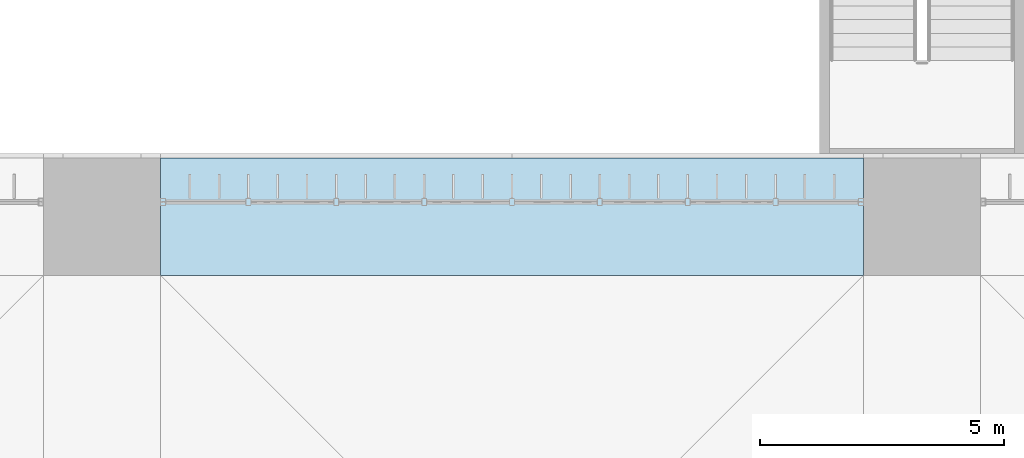
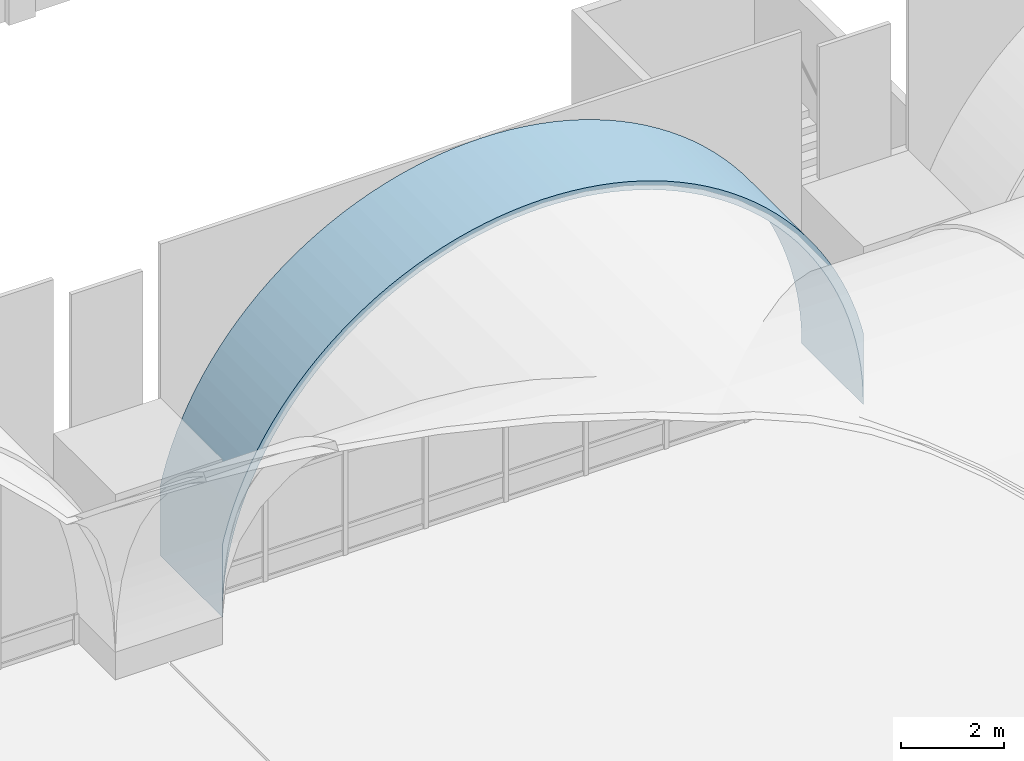
# One storey, part 135 of 169: 1 roof.
"""IFC4 building model written with IfcOpenShell, lengths in metres."""

from ifc_helpers import new_model, si_unit, direction, frame, origin, place, context, subcontext, project, spatial, polygons, material, layer, layer_set, type_object, element, save


model = new_model("IFC4")

# Units and contexts
model_context = context("Model", 3, precision=1e-05, world=origin(), true_north=direction((0.0, 1.0)))
body_context = subcontext(model_context, "Body", "Model", "MODEL_VIEW")
ifc_project = project(units=[si_unit("LENGTHUNIT", "METRE"), si_unit("AREAUNIT", "SQUARE_METRE"), si_unit("VOLUMEUNIT", "CUBIC_METRE"), si_unit("PLANEANGLEUNIT", "RADIAN"), si_unit("MASSUNIT", "GRAM", prefix="KILO")], contexts=[model_context])

# Site, building, storey
site_placement = place(None, origin())
site = spatial("IfcSite", under=ifc_project, at=site_placement, CompositionType="ELEMENT")
building_placement = place(site_placement, origin())
building = spatial("IfcBuilding", under=site, at=building_placement, Name="Verrick Yard Athletic Hall", CompositionType="ELEMENT")
storey_placement = place(building_placement, frame((0.0, 0.0, 4.39990234375)))
storey = spatial("IfcBuildingStorey", under=building, at=storey_placement, Name="L01", CompositionType="ELEMENT", Elevation=4.39990234375)

# Roof
ifc_material = material(Name="Concrete 35 MPa", Category="concrete")
ifc_layer = layer(ifc_material, 0.199951171875)
ifc_layer_set = layer_set([ifc_layer], Name="Arch rib 200")
roof_type = type_object("IfcRoofType", Name="Arch rib 200", PredefinedType="BARREL_ROOF", material=ifc_layer_set)
roof_placement = place(storey_placement, origin())
element("IfcRoof", 1, at=roof_placement, inside=storey, type_object=roof_type, Name="Vault rib N4", PredefinedType="BARREL_ROOF", context=body_context, shape_type="Tessellation", body=[
    polygons([(91.60009765625, 51.60009765625, 2.352294921875), (91.60009765625, 51.60009765625, 0.650146484375), (91.60693359375, 51.60009765625, 0.964111328125), (91.62744140625, 51.60009765625, 1.277587890625), (91.66162109375, 51.60009765625, 1.58984375), (91.70947265625, 51.60009765625, 1.900390625), (91.770751953125, 51.60009765625, 2.20849609375), (91.84521484375, 51.60009765625, 2.513671875), (91.93310546875, 51.60009765625, 2.815185546875), (92.0341796875, 51.60009765625, 3.112548828125), (92.148193359375, 51.60009765625, 3.405517578125), (92.274658203125, 51.60009765625, 3.693115234375), (92.41357421875, 51.60009765625, 3.974609375), (92.564697265625, 51.60009765625, 4.25), (92.7275390625, 51.60009765625, 4.518798828125), (92.902099609375, 51.60009765625, 4.77978515625), (93.087890625, 51.60009765625, 5.033203125), (93.284423828125, 51.60009765625, 5.278076171875), (93.49169921875, 51.60009765625, 5.514404296875), (93.708740234375, 51.60009765625, 5.7412109375), (93.935791015625, 51.60009765625, 5.95849609375), (94.171875, 51.60009765625, 6.16552734375), (94.4169921875, 51.60009765625, 6.3623046875), (94.670166015625, 51.60009765625, 6.548095703125), (94.931396484375, 51.60009765625, 6.722412109375), (95.199951171875, 51.60009765625, 6.885498046875), (95.475341796875, 51.60009765625, 7.03662109375), (95.757080078125, 51.60009765625, 7.175537109375), (96.044677734375, 51.60009765625, 7.302001953125), (96.33740234375, 51.60009765625, 7.416015625), (96.635009765625, 51.60009765625, 7.516845703125), (96.9365234375, 51.60009765625, 7.604736328125), (97.24169921875, 51.60009765625, 7.679443359375), (97.5498046875, 51.60009765625, 7.74072265625), (97.860107421875, 51.60009765625, 7.78857421875), (98.172607421875, 51.60009765625, 7.82275390625), (98.48583984375, 51.60009765625, 7.84326171875), (98.800048828125, 51.60009765625, 7.85009765625), (99.114013671875, 51.60009765625, 7.84326171875), (99.427490234375, 51.60009765625, 7.82275390625), (99.73974609375, 51.60009765625, 7.78857421875), (100.05029296875, 51.60009765625, 7.74072265625), (100.3583984375, 51.60009765625, 7.679443359375), (100.66357421875, 51.60009765625, 7.604736328125), (100.965087890625, 51.60009765625, 7.516845703125), (101.262451171875, 51.60009765625, 7.416015625), (101.555419921875, 51.60009765625, 7.302001953125), (101.843017578125, 51.60009765625, 7.175537109375), (102.12451171875, 51.60009765625, 7.03662109375), (102.39990234375, 51.60009765625, 6.885498046875), (102.668701171875, 51.60009765625, 6.722412109375), (102.9296875, 51.60009765625, 6.548095703125), (103.18310546875, 51.60009765625, 6.3623046875), (103.427978515625, 51.60009765625, 6.16552734375), (103.664306640625, 51.60009765625, 5.95849609375), (103.89111328125, 51.60009765625, 5.7412109375), (104.1083984375, 51.60009765625, 5.514404296875), (104.3154296875, 51.60009765625, 5.278076171875), (104.51220703125, 51.60009765625, 5.033203125), (104.697998046875, 51.60009765625, 4.77978515625), (104.872314453125, 51.60009765625, 4.518798828125), (105.035400390625, 51.60009765625, 4.25), (105.1865234375, 51.60009765625, 3.974609375), (105.325439453125, 51.60009765625, 3.693115234375), (105.451904296875, 51.60009765625, 3.405517578125), (105.56591796875, 51.60009765625, 3.112548828125), (105.666748046875, 51.60009765625, 2.815185546875), (105.754638671875, 51.60009765625, 2.513671875), (105.829345703125, 51.60009765625, 2.20849609375), (105.890625, 51.60009765625, 1.900390625), (105.9384765625, 51.60009765625, 1.58984375), (105.97265625, 51.60009765625, 1.277587890625), (105.9931640625, 51.60009765625, 0.964111328125), (106.0, 51.60009765625, 0.650146484375), (106.0, 51.60009765625, 2.352294921875), (105.947998046875, 51.60009765625, 2.5654296875), (105.857421875, 51.60009765625, 2.875244140625), (105.753662109375, 51.60009765625, 3.180908203125), (105.63671875, 51.60009765625, 3.48193359375), (105.506591796875, 51.60009765625, 3.777587890625), (105.364013671875, 51.60009765625, 4.06689453125), (105.20849609375, 51.60009765625, 4.35009765625), (105.041015625, 51.60009765625, 4.6259765625), (104.86181640625, 51.60009765625, 4.89453125), (104.6708984375, 51.60009765625, 5.15478515625), (104.46875, 51.60009765625, 5.40673828125), (104.255859375, 51.60009765625, 5.6494140625), (104.03271484375, 51.60009765625, 5.8828125), (103.79931640625, 51.60009765625, 6.10595703125), (103.556640625, 51.60009765625, 6.31884765625), (103.3046875, 51.60009765625, 6.52099609375), (103.04443359375, 51.60009765625, 6.7119140625), (102.77587890625, 51.60009765625, 6.89111328125), (102.5, 51.60009765625, 7.05859375), (102.216796875, 51.60009765625, 7.214111328125), (101.927490234375, 51.60009765625, 7.356689453125), (101.6318359375, 51.60009765625, 7.48681640625), (101.330810546875, 51.60009765625, 7.603759765625), (101.025146484375, 51.60009765625, 7.70751953125), (100.71533203125, 51.60009765625, 7.798095703125), (100.401611328125, 51.60009765625, 7.874755859375), (100.0849609375, 51.60009765625, 7.937744140625), (99.765869140625, 51.60009765625, 7.98681640625), (99.445068359375, 51.60009765625, 8.02197265625), (99.122802734375, 51.60009765625, 8.043212890625), (98.800048828125, 51.60009765625, 8.050048828125), (98.477294921875, 51.60009765625, 8.043212890625), (98.155029296875, 51.60009765625, 8.02197265625), (97.833984375, 51.60009765625, 7.98681640625), (97.514892578125, 51.60009765625, 7.937744140625), (97.1982421875, 51.60009765625, 7.874755859375), (96.884765625, 51.60009765625, 7.798095703125), (96.57470703125, 51.60009765625, 7.70751953125), (96.26904296875, 51.60009765625, 7.603759765625), (95.968017578125, 51.60009765625, 7.48681640625), (95.672607421875, 51.60009765625, 7.356689453125), (95.383056640625, 51.60009765625, 7.214111328125), (95.10009765625, 51.60009765625, 7.05859375), (94.823974609375, 51.60009765625, 6.89111328125), (94.555419921875, 51.60009765625, 6.7119140625), (94.295166015625, 51.60009765625, 6.52099609375), (94.04345703125, 51.60009765625, 6.31884765625), (93.800537109375, 51.60009765625, 6.10595703125), (93.5673828125, 51.60009765625, 5.8828125), (93.343994140625, 51.60009765625, 5.6494140625), (93.13134765625, 51.60009765625, 5.40673828125), (92.92919921875, 51.60009765625, 5.15478515625), (92.73828125, 51.60009765625, 4.89453125), (92.558837890625, 51.60009765625, 4.6259765625), (92.391357421875, 51.60009765625, 4.35009765625), (92.236083984375, 51.60009765625, 4.06689453125), (92.09326171875, 51.60009765625, 3.777587890625), (91.96337890625, 51.60009765625, 3.48193359375), (91.84619140625, 51.60009765625, 3.180908203125), (91.742431640625, 51.60009765625, 2.875244140625), (91.652099609375, 51.60009765625, 2.5654296875), (91.60009765625, 54.0, 2.352294921875), (91.60009765625, 54.0, 0.650146484375), (91.60693359375, 54.0, 0.964111328125), (91.62744140625, 54.0, 1.277587890625), (91.66162109375, 54.0, 1.58984375), (91.70947265625, 54.0, 1.900390625), (91.770751953125, 54.0, 2.20849609375), (91.84521484375, 54.0, 2.513671875), (91.93310546875, 54.0, 2.815185546875), (92.0341796875, 54.0, 3.112548828125), (92.148193359375, 54.0, 3.405517578125), (92.274658203125, 54.0, 3.693115234375), (92.41357421875, 54.0, 3.974609375), (92.564697265625, 54.0, 4.25), (92.7275390625, 54.0, 4.518798828125), (92.902099609375, 54.0, 4.77978515625), (93.087890625, 54.0, 5.033203125), (93.284423828125, 54.0, 5.278076171875), (93.49169921875, 54.0, 5.514404296875), (93.708740234375, 54.0, 5.7412109375), (93.935791015625, 54.0, 5.95849609375), (94.171875, 54.0, 6.16552734375), (94.4169921875, 54.0, 6.3623046875), (94.670166015625, 54.0, 6.548095703125), (94.931396484375, 54.0, 6.722412109375), (95.199951171875, 54.0, 6.885498046875), (95.475341796875, 54.0, 7.03662109375), (95.757080078125, 54.0, 7.175537109375), (96.044677734375, 54.0, 7.302001953125), (96.33740234375, 54.0, 7.416015625), (96.635009765625, 54.0, 7.516845703125), (96.9365234375, 54.0, 7.604736328125), (97.24169921875, 54.0, 7.679443359375), (97.5498046875, 54.0, 7.74072265625), (97.860107421875, 54.0, 7.78857421875), (98.172607421875, 54.0, 7.82275390625), (98.48583984375, 54.0, 7.84326171875), (98.800048828125, 54.0, 7.85009765625), (99.114013671875, 54.0, 7.84326171875), (99.427490234375, 54.0, 7.82275390625), (99.73974609375, 54.0, 7.78857421875), (100.05029296875, 54.0, 7.74072265625), (100.3583984375, 54.0, 7.679443359375), (100.66357421875, 54.0, 7.604736328125), (100.965087890625, 54.0, 7.516845703125), (101.262451171875, 54.0, 7.416015625), (101.555419921875, 54.0, 7.302001953125), (101.843017578125, 54.0, 7.175537109375), (102.12451171875, 54.0, 7.03662109375), (102.39990234375, 54.0, 6.885498046875), (102.668701171875, 54.0, 6.722412109375), (102.9296875, 54.0, 6.548095703125), (103.18310546875, 54.0, 6.3623046875), (103.427978515625, 54.0, 6.16552734375), (103.664306640625, 54.0, 5.95849609375), (103.89111328125, 54.0, 5.7412109375), (104.1083984375, 54.0, 5.514404296875), (104.3154296875, 54.0, 5.278076171875), (104.51220703125, 54.0, 5.033203125), (104.697998046875, 54.0, 4.77978515625), (104.872314453125, 54.0, 4.518798828125), (105.035400390625, 54.0, 4.25), (105.1865234375, 54.0, 3.974609375), (105.325439453125, 54.0, 3.693115234375), (105.451904296875, 54.0, 3.405517578125), (105.56591796875, 54.0, 3.112548828125), (105.666748046875, 54.0, 2.815185546875), (105.754638671875, 54.0, 2.513671875), (105.829345703125, 54.0, 2.20849609375), (105.890625, 54.0, 1.900390625), (105.9384765625, 54.0, 1.58984375), (105.97265625, 54.0, 1.277587890625), (105.9931640625, 54.0, 0.964111328125), (106.0, 54.0, 0.650146484375), (106.0, 54.0, 2.352294921875), (105.947998046875, 54.0, 2.5654296875), (105.857421875, 54.0, 2.875244140625), (105.753662109375, 54.0, 3.180908203125), (105.63671875, 54.0, 3.48193359375), (105.506591796875, 54.0, 3.777587890625), (105.364013671875, 54.0, 4.06689453125), (105.20849609375, 54.0, 4.35009765625), (105.041015625, 54.0, 4.6259765625), (104.86181640625, 54.0, 4.89453125), (104.6708984375, 54.0, 5.15478515625), (104.46875, 54.0, 5.40673828125), (104.255859375, 54.0, 5.6494140625), (104.03271484375, 54.0, 5.8828125), (103.79931640625, 54.0, 6.10595703125), (103.556640625, 54.0, 6.31884765625), (103.3046875, 54.0, 6.52099609375), (103.04443359375, 54.0, 6.7119140625), (102.77587890625, 54.0, 6.89111328125), (102.5, 54.0, 7.05859375), (102.216796875, 54.0, 7.214111328125), (101.927490234375, 54.0, 7.356689453125), (101.6318359375, 54.0, 7.48681640625), (101.330810546875, 54.0, 7.603759765625), (101.025146484375, 54.0, 7.70751953125), (100.71533203125, 54.0, 7.798095703125), (100.401611328125, 54.0, 7.874755859375), (100.0849609375, 54.0, 7.937744140625), (99.765869140625, 54.0, 7.98681640625), (99.445068359375, 54.0, 8.02197265625), (99.122802734375, 54.0, 8.043212890625), (98.800048828125, 54.0, 8.050048828125), (98.477294921875, 54.0, 8.043212890625), (98.155029296875, 54.0, 8.02197265625), (97.833984375, 54.0, 7.98681640625), (97.514892578125, 54.0, 7.937744140625), (97.1982421875, 54.0, 7.874755859375), (96.884765625, 54.0, 7.798095703125), (96.57470703125, 54.0, 7.70751953125), (96.26904296875, 54.0, 7.603759765625), (95.968017578125, 54.0, 7.48681640625), (95.672607421875, 54.0, 7.356689453125), (95.383056640625, 54.0, 7.214111328125), (95.10009765625, 54.0, 7.05859375), (94.823974609375, 54.0, 6.89111328125), (94.555419921875, 54.0, 6.7119140625), (94.295166015625, 54.0, 6.52099609375), (94.04345703125, 54.0, 6.31884765625), (93.800537109375, 54.0, 6.10595703125), (93.5673828125, 54.0, 5.8828125), (93.343994140625, 54.0, 5.6494140625), (93.13134765625, 54.0, 5.40673828125), (92.92919921875, 54.0, 5.15478515625), (92.73828125, 54.0, 4.89453125), (92.558837890625, 54.0, 4.6259765625), (92.391357421875, 54.0, 4.35009765625), (92.236083984375, 54.0, 4.06689453125), (92.09326171875, 54.0, 3.777587890625), (91.96337890625, 54.0, 3.48193359375), (91.84619140625, 54.0, 3.180908203125), (91.742431640625, 54.0, 2.875244140625), (91.652099609375, 54.0, 2.5654296875)], [[[1, 2, 3]], [[137, 139, 138]], [[136, 1, 3]], [[272, 139, 137]], [[136, 3, 4]], [[272, 140, 139]], [[136, 4, 5]], [[272, 141, 140]], [[136, 5, 6]], [[272, 142, 141]], [[136, 6, 7]], [[272, 143, 142]], [[136, 7, 8]], [[272, 144, 143]], [[136, 8, 9]], [[272, 145, 144]], [[136, 9, 10]], [[272, 146, 145]], [[136, 10, 11]], [[272, 147, 146]], [[136, 11, 12]], [[272, 148, 147]], [[136, 12, 13]], [[272, 149, 148]], [[73, 74, 75]], [[209, 211, 210]], [[72, 73, 75]], [[208, 211, 209]], [[71, 72, 75]], [[207, 211, 208]], [[70, 71, 75]], [[206, 211, 207]], [[69, 70, 75]], [[205, 211, 206]], [[68, 69, 75]], [[204, 211, 205]], [[67, 68, 75]], [[203, 211, 204]], [[66, 67, 75]], [[202, 211, 203]], [[65, 66, 75]], [[201, 211, 202]], [[64, 65, 75]], [[200, 211, 201]], [[63, 64, 75]], [[199, 211, 200]], [[63, 75, 76]], [[199, 212, 211]], [[63, 76, 77]], [[199, 213, 212]], [[62, 63, 77]], [[198, 213, 199]], [[62, 77, 78]], [[198, 214, 213]], [[61, 62, 78]], [[197, 214, 198]], [[61, 78, 79]], [[197, 215, 214]], [[60, 61, 79]], [[196, 215, 197]], [[60, 79, 80]], [[196, 216, 215]], [[59, 60, 80]], [[195, 216, 196]], [[59, 80, 81]], [[195, 217, 216]], [[58, 59, 81]], [[194, 217, 195]], [[58, 81, 82]], [[194, 218, 217]], [[57, 58, 82]], [[193, 218, 194]], [[57, 82, 83]], [[193, 219, 218]], [[56, 57, 83]], [[192, 219, 193]], [[56, 83, 84]], [[192, 220, 219]], [[55, 56, 84]], [[191, 220, 192]], [[55, 84, 85]], [[191, 221, 220]], [[54, 55, 85]], [[190, 221, 191]], [[54, 85, 86]], [[190, 222, 221]], [[53, 54, 86]], [[189, 222, 190]], [[53, 86, 87]], [[189, 223, 222]], [[52, 53, 87]], [[188, 223, 189]], [[52, 87, 88]], [[188, 224, 223]], [[51, 52, 88]], [[187, 224, 188]], [[51, 88, 89]], [[187, 225, 224]], [[50, 51, 89]], [[186, 225, 187]], [[50, 89, 90]], [[186, 226, 225]], [[49, 50, 90]], [[185, 226, 186]], [[49, 90, 91]], [[185, 227, 226]], [[48, 49, 91]], [[184, 227, 185]], [[48, 91, 92]], [[184, 228, 227]], [[47, 48, 92]], [[183, 228, 184]], [[47, 92, 93]], [[183, 229, 228]], [[46, 47, 93]], [[182, 229, 183]], [[46, 93, 94]], [[182, 230, 229]], [[45, 46, 94]], [[181, 230, 182]], [[45, 94, 95]], [[181, 231, 230]], [[44, 45, 95]], [[180, 231, 181]], [[44, 95, 96]], [[180, 232, 231]], [[43, 44, 96]], [[179, 232, 180]], [[43, 96, 97]], [[179, 233, 232]], [[42, 43, 97]], [[178, 233, 179]], [[42, 97, 98]], [[178, 234, 233]], [[41, 42, 98]], [[177, 234, 178]], [[41, 98, 99]], [[177, 235, 234]], [[40, 41, 99]], [[176, 235, 177]], [[40, 99, 100]], [[176, 236, 235]], [[39, 40, 100]], [[175, 236, 176]], [[39, 100, 101]], [[175, 237, 236]], [[38, 39, 101]], [[174, 237, 175]], [[38, 101, 102]], [[174, 238, 237]], [[37, 38, 102]], [[173, 238, 174]], [[37, 102, 103]], [[173, 239, 238]], [[36, 37, 103]], [[172, 239, 173]], [[36, 103, 104]], [[172, 240, 239]], [[35, 36, 104]], [[171, 240, 172]], [[35, 104, 105]], [[171, 241, 240]], [[34, 35, 105]], [[170, 241, 171]], [[34, 105, 106]], [[170, 242, 241]], [[33, 34, 106]], [[169, 242, 170]], [[33, 106, 107]], [[169, 243, 242]], [[32, 33, 107]], [[168, 243, 169]], [[32, 107, 108]], [[168, 244, 243]], [[31, 32, 108]], [[167, 244, 168]], [[31, 108, 109]], [[167, 245, 244]], [[30, 31, 109]], [[166, 245, 167]], [[30, 109, 110]], [[166, 246, 245]], [[29, 30, 110]], [[165, 246, 166]], [[29, 110, 111]], [[165, 247, 246]], [[28, 29, 111]], [[164, 247, 165]], [[28, 111, 112]], [[164, 248, 247]], [[27, 28, 112]], [[163, 248, 164]], [[27, 112, 113]], [[163, 249, 248]], [[26, 27, 113]], [[162, 249, 163]], [[26, 113, 114]], [[162, 250, 249]], [[25, 26, 114]], [[161, 250, 162]], [[25, 114, 115]], [[161, 251, 250]], [[24, 25, 115]], [[160, 251, 161]], [[24, 115, 116]], [[160, 252, 251]], [[23, 24, 116]], [[159, 252, 160]], [[23, 116, 117]], [[159, 253, 252]], [[22, 23, 117]], [[158, 253, 159]], [[22, 117, 118]], [[158, 254, 253]], [[21, 22, 118]], [[157, 254, 158]], [[21, 118, 119]], [[157, 255, 254]], [[20, 21, 119]], [[156, 255, 157]], [[20, 119, 120]], [[156, 256, 255]], [[19, 20, 120]], [[155, 256, 156]], [[19, 120, 121]], [[155, 257, 256]], [[18, 19, 121]], [[154, 257, 155]], [[18, 121, 122]], [[154, 258, 257]], [[17, 18, 122]], [[153, 258, 154]], [[17, 122, 123]], [[153, 259, 258]], [[16, 17, 123]], [[152, 259, 153]], [[16, 123, 124]], [[152, 260, 259]], [[15, 16, 124]], [[151, 260, 152]], [[15, 124, 125]], [[151, 261, 260]], [[14, 15, 125]], [[150, 261, 151]], [[14, 125, 126]], [[150, 262, 261]], [[13, 14, 126]], [[149, 262, 150]], [[136, 13, 126]], [[272, 262, 149]], [[136, 126, 127]], [[272, 263, 262]], [[136, 127, 128]], [[272, 264, 263]], [[136, 128, 129]], [[272, 265, 264]], [[136, 129, 130]], [[272, 266, 265]], [[136, 130, 131]], [[272, 267, 266]], [[136, 131, 132]], [[272, 268, 267]], [[136, 132, 133]], [[272, 269, 268]], [[136, 133, 134]], [[272, 270, 269]], [[134, 135, 136]], [[270, 272, 271]], [[1, 138, 2]], [[1, 137, 138]], [[2, 139, 3]], [[2, 138, 139]], [[3, 140, 4]], [[3, 139, 140]], [[4, 141, 5]], [[4, 140, 141]], [[5, 142, 6]], [[5, 141, 142]], [[6, 143, 7]], [[6, 142, 143]], [[7, 144, 8]], [[7, 143, 144]], [[8, 145, 9]], [[8, 144, 145]], [[9, 146, 10]], [[9, 145, 146]], [[10, 147, 11]], [[10, 146, 147]], [[11, 148, 12]], [[11, 147, 148]], [[12, 149, 13]], [[12, 148, 149]], [[13, 150, 14]], [[13, 149, 150]], [[14, 151, 15]], [[14, 150, 151]], [[15, 152, 16]], [[15, 151, 152]], [[16, 153, 17]], [[16, 152, 153]], [[17, 154, 18]], [[17, 153, 154]], [[18, 155, 19]], [[18, 154, 155]], [[19, 156, 20]], [[19, 155, 156]], [[20, 157, 21]], [[20, 156, 157]], [[21, 158, 22]], [[21, 157, 158]], [[22, 159, 23]], [[22, 158, 159]], [[23, 160, 24]], [[23, 159, 160]], [[24, 161, 25]], [[24, 160, 161]], [[25, 162, 26]], [[25, 161, 162]], [[26, 163, 27]], [[26, 162, 163]], [[27, 164, 28]], [[27, 163, 164]], [[28, 165, 29]], [[28, 164, 165]], [[29, 166, 30]], [[29, 165, 166]], [[30, 167, 31]], [[30, 166, 167]], [[31, 168, 32]], [[31, 167, 168]], [[32, 169, 33]], [[32, 168, 169]], [[33, 170, 34]], [[33, 169, 170]], [[34, 171, 35]], [[34, 170, 171]], [[35, 172, 36]], [[35, 171, 172]], [[36, 173, 37]], [[36, 172, 173]], [[37, 174, 38]], [[37, 173, 174]], [[38, 175, 39]], [[38, 174, 175]], [[39, 176, 40]], [[39, 175, 176]], [[40, 177, 41]], [[40, 176, 177]], [[41, 178, 42]], [[41, 177, 178]], [[42, 179, 43]], [[42, 178, 179]], [[43, 180, 44]], [[43, 179, 180]], [[44, 181, 45]], [[44, 180, 181]], [[45, 182, 46]], [[45, 181, 182]], [[46, 183, 47]], [[46, 182, 183]], [[47, 184, 48]], [[47, 183, 184]], [[48, 185, 49]], [[48, 184, 185]], [[49, 186, 50]], [[49, 185, 186]], [[50, 187, 51]], [[50, 186, 187]], [[51, 188, 52]], [[51, 187, 188]], [[52, 189, 53]], [[52, 188, 189]], [[53, 190, 54]], [[53, 189, 190]], [[54, 191, 55]], [[54, 190, 191]], [[55, 192, 56]], [[55, 191, 192]], [[56, 193, 57]], [[56, 192, 193]], [[57, 194, 58]], [[57, 193, 194]], [[58, 195, 59]], [[58, 194, 195]], [[59, 196, 60]], [[59, 195, 196]], [[60, 197, 61]], [[60, 196, 197]], [[61, 198, 62]], [[61, 197, 198]], [[62, 199, 63]], [[62, 198, 199]], [[63, 200, 64]], [[63, 199, 200]], [[64, 201, 65]], [[64, 200, 201]], [[65, 202, 66]], [[65, 201, 202]], [[66, 203, 67]], [[66, 202, 203]], [[67, 204, 68]], [[67, 203, 204]], [[68, 205, 69]], [[68, 204, 205]], [[69, 206, 70]], [[69, 205, 206]], [[70, 207, 71]], [[70, 206, 207]], [[71, 208, 72]], [[71, 207, 208]], [[72, 209, 73]], [[72, 208, 209]], [[73, 210, 74]], [[73, 209, 210]], [[74, 211, 75]], [[74, 210, 211]], [[75, 212, 76]], [[75, 211, 212]], [[76, 213, 77]], [[76, 212, 213]], [[77, 214, 78]], [[77, 213, 214]], [[78, 215, 79]], [[78, 214, 215]], [[79, 216, 80]], [[79, 215, 216]], [[80, 217, 81]], [[80, 216, 217]], [[81, 218, 82]], [[81, 217, 218]], [[82, 219, 83]], [[82, 218, 219]], [[83, 220, 84]], [[83, 219, 220]], [[84, 221, 85]], [[84, 220, 221]], [[85, 222, 86]], [[85, 221, 222]], [[86, 223, 87]], [[86, 222, 223]], [[87, 224, 88]], [[87, 223, 224]], [[88, 225, 89]], [[88, 224, 225]], [[89, 226, 90]], [[89, 225, 226]], [[90, 227, 91]], [[90, 226, 227]], [[91, 228, 92]], [[91, 227, 228]], [[92, 229, 93]], [[92, 228, 229]], [[93, 230, 94]], [[93, 229, 230]], [[94, 231, 95]], [[94, 230, 231]], [[95, 232, 96]], [[95, 231, 232]], [[96, 233, 97]], [[96, 232, 233]], [[97, 234, 98]], [[97, 233, 234]], [[98, 235, 99]], [[98, 234, 235]], [[99, 236, 100]], [[99, 235, 236]], [[100, 237, 101]], [[100, 236, 237]], [[101, 238, 102]], [[101, 237, 238]], [[102, 239, 103]], [[102, 238, 239]], [[103, 240, 104]], [[103, 239, 240]], [[104, 241, 105]], [[104, 240, 241]], [[105, 242, 106]], [[105, 241, 242]], [[106, 243, 107]], [[106, 242, 243]], [[107, 244, 108]], [[107, 243, 244]], [[108, 245, 109]], [[108, 244, 245]], [[109, 246, 110]], [[109, 245, 246]], [[110, 247, 111]], [[110, 246, 247]], [[111, 248, 112]], [[111, 247, 248]], [[112, 249, 113]], [[112, 248, 249]], [[113, 250, 114]], [[113, 249, 250]], [[114, 251, 115]], [[114, 250, 251]], [[115, 252, 116]], [[115, 251, 252]], [[116, 253, 117]], [[116, 252, 253]], [[117, 254, 118]], [[117, 253, 254]], [[118, 255, 119]], [[118, 254, 255]], [[119, 256, 120]], [[119, 255, 256]], [[120, 257, 121]], [[120, 256, 257]], [[121, 258, 122]], [[121, 257, 258]], [[122, 259, 123]], [[122, 258, 259]], [[123, 260, 124]], [[123, 259, 260]], [[124, 261, 125]], [[124, 260, 261]], [[125, 262, 126]], [[125, 261, 262]], [[126, 263, 127]], [[126, 262, 263]], [[127, 264, 128]], [[127, 263, 264]], [[128, 265, 129]], [[128, 264, 265]], [[129, 266, 130]], [[129, 265, 266]], [[130, 267, 131]], [[130, 266, 267]], [[131, 268, 132]], [[131, 267, 268]], [[132, 269, 133]], [[132, 268, 269]], [[133, 270, 134]], [[133, 269, 270]], [[134, 271, 135]], [[134, 270, 271]], [[135, 272, 136]], [[135, 271, 272]], [[136, 137, 1]], [[136, 272, 137]]], closed=True),
])

save(model, "model.ifc")
